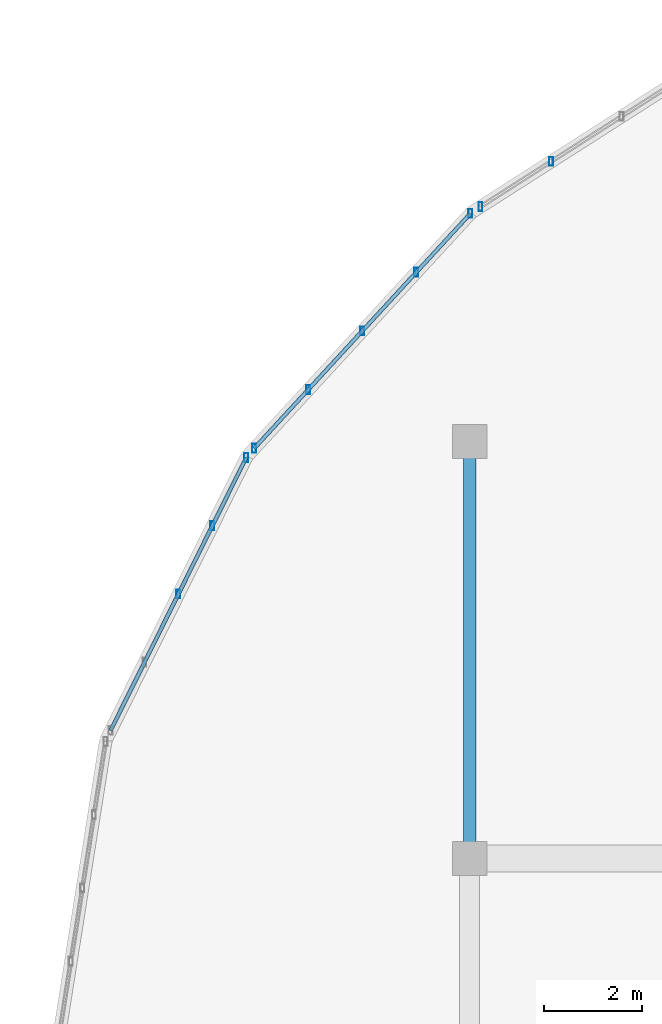
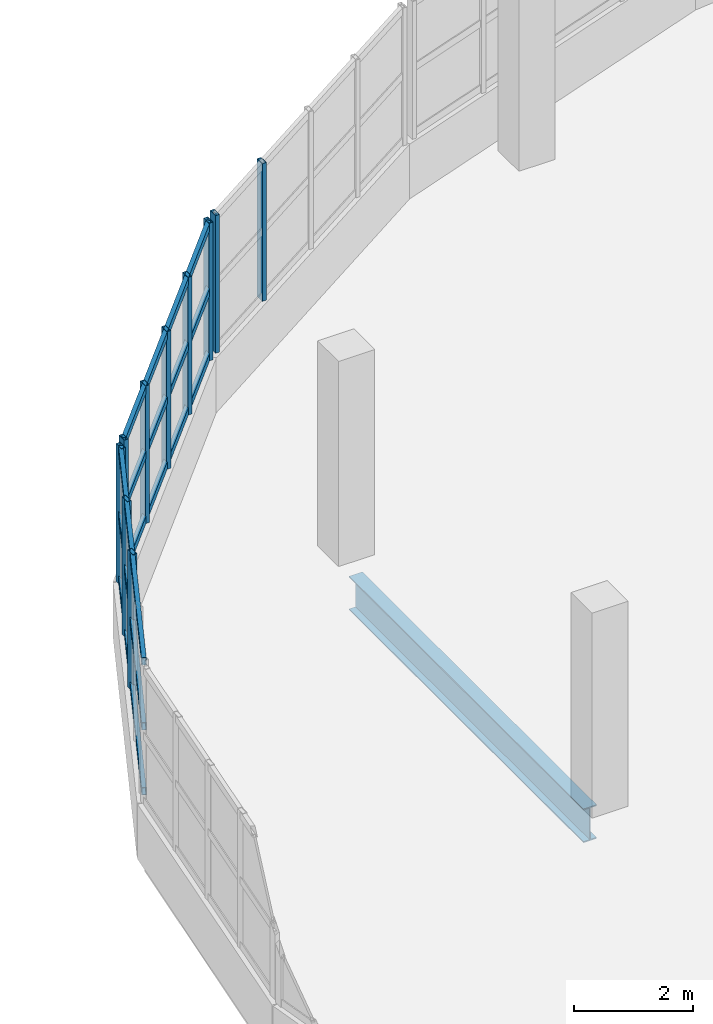
# One storey, part 13 of 52: 16 members, 1 beam, 3 elements without a shape of their own.
"""IFC4 building model written with IfcOpenShell, lengths in metres."""

from ifc_helpers import new_model, si_unit, direction, frame, origin, origin_2d, place, context, subcontext, project, spatial, hollow_rectangle, i_section, extrude, material, material_profile, profile_set, type_object, element, aggregate, save


model = new_model("IFC4")

# Units and contexts
model_context = context("Model", 3, precision=1e-05, world=origin(), true_north=direction((0.0, 1.0)))
body_context = subcontext(model_context, "Body", "Model", "MODEL_VIEW")
ifc_project = project(units=[si_unit("LENGTHUNIT", "METRE"), si_unit("AREAUNIT", "SQUARE_METRE"), si_unit("VOLUMEUNIT", "CUBIC_METRE"), si_unit("PLANEANGLEUNIT", "RADIAN"), si_unit("MASSUNIT", "GRAM", prefix="KILO")], contexts=[model_context])

# Site, building, storey
site_placement = place(None, origin())
site = spatial("IfcSite", under=ifc_project, at=site_placement, CompositionType="ELEMENT")
building_placement = place(site_placement, origin())
building = spatial("IfcBuilding", under=site, at=building_placement, Name="Solvento Point Concert Hall", CompositionType="ELEMENT")
storey_placement = place(building_placement, frame((0.0, 0.0, 19.5)))
storey = spatial("IfcBuildingStorey", under=building, at=storey_placement, Name="L04", CompositionType="ELEMENT", Elevation=19.5)

# Beam
ifc_material_1 = material(Name="Structural Steel ASTM A992 Grade 50", Category="steel")
ifc_material_profile_1 = material_profile(ifc_material_1, i_section(OverallWidth=0.256103515625, OverallDepth=0.693115234375, WebThickness=0.014404296875, FlangeThickness=0.023681640625, at=origin_2d()), Name="W27X114")
ifc_profile_set_1 = profile_set([ifc_material_profile_1], Name="Structural Steel ASTM A992 Grade 50")
beam_type = type_object("IfcBeamType", Name="Girder_W27X114", PredefinedType="USERDEFINED", material=ifc_profile_set_1)
beam_placement = place(storey_placement, frame((40.800048828125, 34.319091796875, -0.640380859375), z_axis=(0.0, 1.0, 0.0), x_axis=(-1.0, 0.0, 0.0)))
element("IfcBeam", 1, at=beam_placement, inside=storey, type_object=beam_type, Name="Primary girder B-23 L04", ObjectType="GIRDER", PredefinedType="USERDEFINED", context=body_context, shape_type="SweptSolid", body=[
    extrude(i_section(OverallWidth=0.256103515625, OverallDepth=0.693115234375, WebThickness=0.014404296875, FlangeThickness=0.023681640625, at=origin_2d()), origin(), (0.0, 0.0, 1.0), 7.86181640625),
])

# Curtain wall, members
ifc_material_2 = material(Name="Anodized Bronze Aluminium", Category="aluminium")
curtain_wall_type = type_object("IfcCurtainWallType", Name="CurtainWall_RingRibbon_L03_04", PredefinedType="USERDEFINED", material=ifc_material_2)
curtain_wall_1_placement = place(storey_placement, origin())
curtain_wall_1 = element("IfcCurtainWall", 2, at=curtain_wall_1_placement, inside=storey, type_object=curtain_wall_type, Name="Unitised curtain wall CW-31 UCW-L04-216", ObjectType="UNITISED CURTAIN WALL", PredefinedType="USERDEFINED")
ifc_material_3 = material(Name="Anodized Bronze Aluminium", Category="aluminium")
ifc_material_profile_2 = material_profile(ifc_material_3, hollow_rectangle(XDim=0.080078125, YDim=0.179931640625, WallThickness=0.00390625, at=origin_2d()), Name="CW-MUL-80X180")
ifc_profile_set_2 = profile_set([ifc_material_profile_2], Name="Anodized Bronze Aluminium")
member_type_1 = type_object("IfcMemberType", Name="Mullion_80x180", PredefinedType="MULLION", material=ifc_profile_set_2)
member_1_placement = place(storey_placement, frame((34.8623046875, 39.390869140625, 1.1201171875), z_axis=(0.0, 0.0, 1.0), x_axis=(1.0, 0.0, 0.0)))
member_1 = element("IfcMember", 3, at=member_1_placement, type_object=member_type_1, Name="Curtain wall mullion ML-01", PredefinedType="MULLION", context=body_context, shape_type="SweptSolid", body=[
    extrude(hollow_rectangle(XDim=0.080078125, YDim=0.179931640625, WallThickness=0.00390625, at=origin_2d()), origin(), (0.0, 0.0, 1.0), 2.81982421875),
])
member_2_placement = place(storey_placement, frame((35.5537109375, 40.781982421875, 1.1201171875), z_axis=(0.0, 0.0, 1.0), x_axis=(1.0, 0.0, 0.0)))
member_2 = element("IfcMember", 4, at=member_2_placement, type_object=member_type_1, Name="Curtain wall mullion ML-01", PredefinedType="MULLION", context=body_context, shape_type="SweptSolid", body=[
    extrude(hollow_rectangle(XDim=0.080078125, YDim=0.179931640625, WallThickness=0.00390625, at=origin_2d()), origin(), (0.0, 0.0, 1.0), 2.81982421875),
])
member_3_placement = place(storey_placement, frame((36.2451171875, 42.173095703125, 1.1201171875), z_axis=(0.0, 0.0, 1.0), x_axis=(1.0, 0.0, 0.0)))
member_3 = element("IfcMember", 5, at=member_3_placement, type_object=member_type_1, Name="Curtain wall mullion ML-01", PredefinedType="MULLION", context=body_context, shape_type="SweptSolid", body=[
    extrude(hollow_rectangle(XDim=0.080078125, YDim=0.179931640625, WallThickness=0.00390625, at=origin_2d()), origin(), (0.0, 0.0, 1.0), 2.81982421875),
])

curtain_wall_2_placement = place(storey_placement, origin())
curtain_wall_2 = element("IfcCurtainWall", 6, at=curtain_wall_2_placement, inside=storey, type_object=curtain_wall_type, Name="Unitised curtain wall CW-31 UCW-L04-217", ObjectType="UNITISED CURTAIN WALL", PredefinedType="USERDEFINED")
member_4_placement = place(storey_placement, frame((36.407470703125, 42.36181640625, 1.1201171875), z_axis=(0.0, 0.0, 1.0), x_axis=(1.0, 0.0, 0.0)))
member_4 = element("IfcMember", 7, at=member_4_placement, type_object=member_type_1, Name="Curtain wall mullion ML-01", PredefinedType="MULLION", context=body_context, shape_type="SweptSolid", body=[
    extrude(hollow_rectangle(XDim=0.080078125, YDim=0.179931640625, WallThickness=0.00390625, at=origin_2d()), origin(), (0.0, 0.0, 1.0), 2.81982421875),
])
member_5_placement = place(storey_placement, frame((37.509521484375, 43.55859375, 1.1201171875), z_axis=(0.0, 0.0, 1.0), x_axis=(1.0, 0.0, 0.0)))
member_5 = element("IfcMember", 8, at=member_5_placement, type_object=member_type_1, Name="Curtain wall mullion ML-01", PredefinedType="MULLION", context=body_context, shape_type="SweptSolid", body=[
    extrude(hollow_rectangle(XDim=0.080078125, YDim=0.179931640625, WallThickness=0.00390625, at=origin_2d()), origin(), (0.0, 0.0, 1.0), 2.81982421875),
])
member_6_placement = place(storey_placement, frame((38.611083984375, 44.755126953125, 1.1201171875), z_axis=(0.0, 0.0, 1.0), x_axis=(1.0, 0.0, 0.0)))
member_6 = element("IfcMember", 9, at=member_6_placement, type_object=member_type_1, Name="Curtain wall mullion ML-01", PredefinedType="MULLION", context=body_context, shape_type="SweptSolid", body=[
    extrude(hollow_rectangle(XDim=0.080078125, YDim=0.179931640625, WallThickness=0.00390625, at=origin_2d()), origin(), (0.0, 0.0, 1.0), 2.81982421875),
])
member_7_placement = place(storey_placement, frame((39.713134765625, 45.951904296875, 1.1201171875), z_axis=(0.0, 0.0, 1.0), x_axis=(1.0, 0.0, 0.0)))
member_7 = element("IfcMember", 10, at=member_7_placement, type_object=member_type_1, Name="Curtain wall mullion ML-01", PredefinedType="MULLION", context=body_context, shape_type="SweptSolid", body=[
    extrude(hollow_rectangle(XDim=0.080078125, YDim=0.179931640625, WallThickness=0.00390625, at=origin_2d()), origin(), (0.0, 0.0, 1.0), 2.81982421875),
])
member_8_placement = place(storey_placement, frame((40.81494140625, 47.1484375, 1.1201171875), z_axis=(0.0, 0.0, 1.0), x_axis=(1.0, 0.0, 0.0)))
member_8 = element("IfcMember", 11, at=member_8_placement, type_object=member_type_1, Name="Curtain wall mullion ML-01", PredefinedType="MULLION", context=body_context, shape_type="SweptSolid", body=[
    extrude(hollow_rectangle(XDim=0.080078125, YDim=0.179931640625, WallThickness=0.00390625, at=origin_2d()), origin(), (0.0, 0.0, 1.0), 2.81982421875),
])

curtain_wall_3_placement = place(storey_placement, origin())
curtain_wall_3 = element("IfcCurtainWall", 12, at=curtain_wall_3_placement, inside=storey, type_object=curtain_wall_type, Name="Unitised curtain wall CW-31 UCW-L04-218", ObjectType="UNITISED CURTAIN WALL", PredefinedType="USERDEFINED")
member_9_placement = place(storey_placement, frame((41.0205078125, 47.2890625, 1.1201171875), z_axis=(0.0, 0.0, 1.0), x_axis=(1.0, 0.0, 0.0)))
member_9 = element("IfcMember", 13, at=member_9_placement, type_object=member_type_1, Name="Curtain wall mullion ML-01", PredefinedType="MULLION", context=body_context, shape_type="SweptSolid", body=[
    extrude(hollow_rectangle(XDim=0.080078125, YDim=0.179931640625, WallThickness=0.00390625, at=origin_2d()), origin(), (0.0, 0.0, 1.0), 2.81982421875),
])
member_10_placement = place(storey_placement, frame((42.459228515625, 48.208984375, 1.1201171875), z_axis=(0.0, 0.0, 1.0), x_axis=(1.0, 0.0, 0.0)))
member_10 = element("IfcMember", 14, at=member_10_placement, type_object=member_type_1, Name="Curtain wall mullion ML-01", PredefinedType="MULLION", context=body_context, shape_type="SweptSolid", body=[
    extrude(hollow_rectangle(XDim=0.080078125, YDim=0.179931640625, WallThickness=0.00390625, at=origin_2d()), origin(), (0.0, 0.0, 1.0), 2.81982421875),
])
aggregate(curtain_wall_3, [member_9, member_10])

# Member
ifc_material_4 = material(Name="Anodized Bronze Aluminium", Category="aluminium")
ifc_material_profile_3 = material_profile(ifc_material_4, hollow_rectangle(XDim=0.080078125, YDim=0.14990234375, WallThickness=0.00390625, at=origin_2d()), Name="CW-TRN-80X150")
ifc_profile_set_3 = profile_set([ifc_material_profile_3], Name="Anodized Bronze Aluminium")
member_type_2 = type_object("IfcMemberType", Name="Transom_80x150", PredefinedType="USERDEFINED", material=ifc_profile_set_3)
member_11_placement = place(storey_placement, frame((33.479248046875, 36.608642578125, 1.199951171875), z_axis=(0.445106459014, 0.895477660327, 0.0), x_axis=(-0.895477660327, 0.445106459014, 0.0)))
member_11 = element("IfcMember", 15, at=member_11_placement, type_object=member_type_2, Name="Curtain wall transom TR-01", ObjectType="TRANSOM", PredefinedType="USERDEFINED", context=body_context, shape_type="SweptSolid", body=[
    extrude(hollow_rectangle(XDim=0.080078125, YDim=0.14990234375, WallThickness=0.00390625, at=origin_2d()), origin(), (0.0, 0.0, 1.0), 6.2138671875),
])

member_12_placement = place(storey_placement, frame((33.479248046875, 36.608642578125, 2.530029296875), z_axis=(0.445106459014, 0.895477660327, 0.0), x_axis=(-0.895477660327, 0.445106459014, 0.0)))
member_12 = element("IfcMember", 16, at=member_12_placement, type_object=member_type_2, Name="Curtain wall transom TR-01", ObjectType="TRANSOM", PredefinedType="USERDEFINED", context=body_context, shape_type="SweptSolid", body=[
    extrude(hollow_rectangle(XDim=0.080078125, YDim=0.14990234375, WallThickness=0.00390625, at=origin_2d()), origin(), (0.0, 0.0, 1.0), 6.2138671875),
])

member_13_placement = place(storey_placement, frame((33.479248046875, 36.608642578125, 3.860107421875), z_axis=(0.445106459014, 0.895477660327, 0.0), x_axis=(-0.895477660327, 0.445106459014, 0.0)))
member_13 = element("IfcMember", 17, at=member_13_placement, type_object=member_type_2, Name="Curtain wall transom TR-01", ObjectType="TRANSOM", PredefinedType="USERDEFINED", context=body_context, shape_type="SweptSolid", body=[
    extrude(hollow_rectangle(XDim=0.080078125, YDim=0.14990234375, WallThickness=0.00390625, at=origin_2d()), origin(), (0.0, 0.0, 1.0), 6.2138671875),
])

aggregate(curtain_wall_1, [member_1, member_2, member_3, member_11, member_12, member_13])

member_14_placement = place(storey_placement, frame((36.407470703125, 42.36181640625, 1.199951171875), z_axis=(0.677371042666, 0.735641536726, 0.0), x_axis=(-0.735641536726, 0.677371042666, 0.0)))
member_14 = element("IfcMember", 18, at=member_14_placement, type_object=member_type_2, Name="Curtain wall transom TR-01", ObjectType="TRANSOM", PredefinedType="USERDEFINED", context=body_context, shape_type="SweptSolid", body=[
    extrude(hollow_rectangle(XDim=0.080078125, YDim=0.14990234375, WallThickness=0.00390625, at=origin_2d()), origin(), (0.0, 0.0, 1.0), 6.5068359375),
])

member_15_placement = place(storey_placement, frame((36.407470703125, 42.36181640625, 2.530029296875), z_axis=(0.677371042666, 0.735641536726, 0.0), x_axis=(-0.735641536726, 0.677371042666, 0.0)))
member_15 = element("IfcMember", 19, at=member_15_placement, type_object=member_type_2, Name="Curtain wall transom TR-01", ObjectType="TRANSOM", PredefinedType="USERDEFINED", context=body_context, shape_type="SweptSolid", body=[
    extrude(hollow_rectangle(XDim=0.080078125, YDim=0.14990234375, WallThickness=0.00390625, at=origin_2d()), origin(), (0.0, 0.0, 1.0), 6.5068359375),
])

member_16_placement = place(storey_placement, frame((36.407470703125, 42.36181640625, 3.860107421875), z_axis=(0.677371042666, 0.735641536726, 0.0), x_axis=(-0.735641536726, 0.677371042666, 0.0)))
member_16 = element("IfcMember", 20, at=member_16_placement, type_object=member_type_2, Name="Curtain wall transom TR-01", ObjectType="TRANSOM", PredefinedType="USERDEFINED", context=body_context, shape_type="SweptSolid", body=[
    extrude(hollow_rectangle(XDim=0.080078125, YDim=0.14990234375, WallThickness=0.00390625, at=origin_2d()), origin(), (0.0, 0.0, 1.0), 6.5068359375),
])

aggregate(curtain_wall_2, [member_4, member_5, member_6, member_7, member_8, member_14, member_15, member_16])

save(model, "model.ifc")
